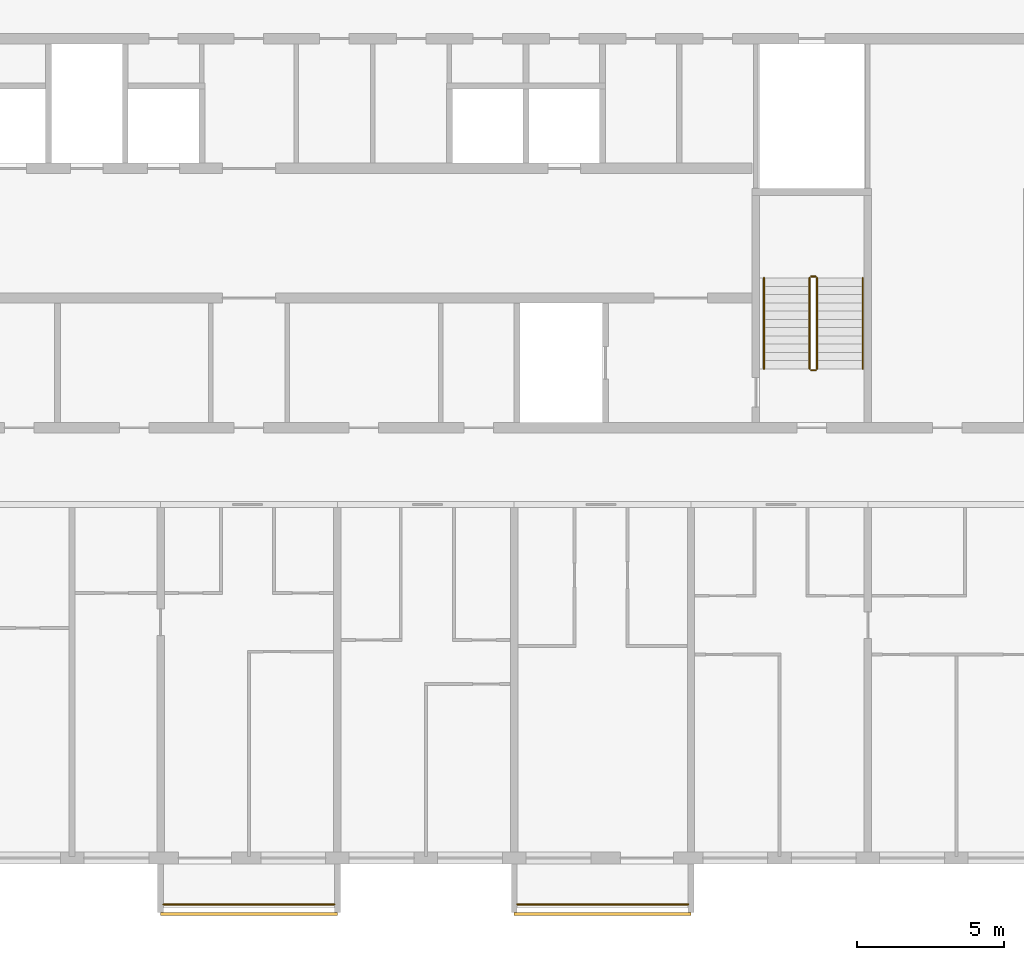
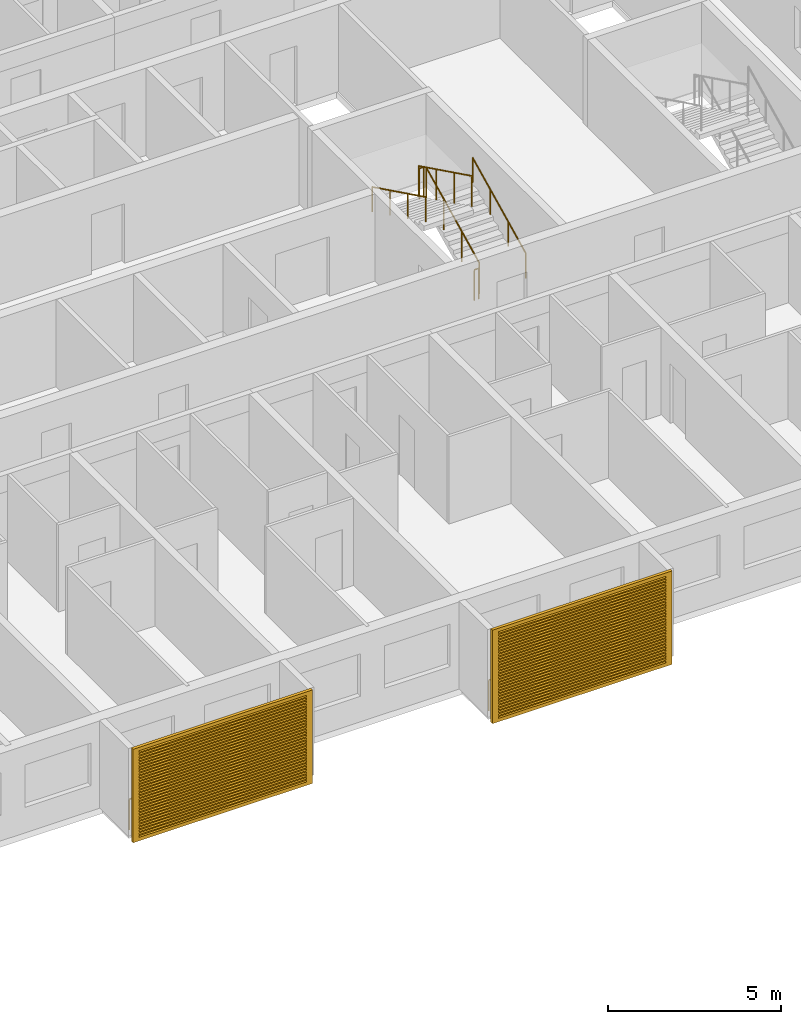
# One storey, part 14 of 29: 8 railings, 2 shading devices.
"""IFC4 building model written with IfcOpenShell, lengths in metres."""

from ifc_helpers import new_model, si_unit, direction, frame, origin, origin_2d, place, context, subcontext, project, spatial, polyline, circle, outline, extrude, source, transform, mapped, material, material_profile, profile_set, type_object, element, save


model = new_model("IFC4")

# Units and contexts
model_context = context("Model", 3, precision=1e-05, world=origin(), true_north=direction((0.0, 1.0)))
body_context = subcontext(model_context, "Body", "Model", "MODEL_VIEW")
ifc_project = project(units=[si_unit("LENGTHUNIT", "METRE"), si_unit("AREAUNIT", "SQUARE_METRE"), si_unit("VOLUMEUNIT", "CUBIC_METRE"), si_unit("PLANEANGLEUNIT", "RADIAN"), si_unit("MASSUNIT", "GRAM", prefix="KILO")], contexts=[model_context])

# Site, building, storey
site_placement = place(None, origin())
site = spatial("IfcSite", under=ifc_project, at=site_placement, CompositionType="ELEMENT")
building_placement = place(site_placement, origin())
building = spatial("IfcBuilding", under=site, at=building_placement, Name="Poui Terraces", CompositionType="ELEMENT")
storey_placement = place(building_placement, frame((0.0, 0.0, 231.300048828125)))
storey = spatial("IfcBuildingStorey", under=building, at=storey_placement, Name="L64", CompositionType="ELEMENT", Elevation=231.300048828125)

# Railings
ifc_material_1 = material(Name="Painted steel fretwork", Category="steel")
railing_type_1 = type_object("IfcRailingType", Name="BALCONY GUARD 1100", PredefinedType="GUARDRAIL", material=ifc_material_1)
for number, where, name in (
    (1, (48.10009765625, -1.570068359375, 0.0), "BALCONY GUARD"),
    (2, (60.10009765625, -1.570068359375, 0.0), "BALCONY GUARD"),
):
    element("IfcRailing", number, at=place(storey_placement, frame(where)), inside=storey, type_object=railing_type_1, Name=name, PredefinedType="GUARDRAIL", context=body_context, shape_type="SweptSolid", body=[
        extrude(circle(Radius=0.02392578125, at=origin_2d()), frame((0.0, 0.0, 1.076171875), z_axis=(1.0, 0.0, 0.0), x_axis=(0.0, 1.0, 0.0)), (0.0, 0.0, 1.0), 5.7998046875),
        extrude(circle(Radius=0.02099609375, at=origin_2d()), origin(), (0.0, 0.0, 1.0), 1.052001953125),
        extrude(circle(Radius=0.02099609375, at=origin_2d()), frame((0.966552734375, 0.0, 0.0)), (0.0, 0.0, 1.0), 1.052001953125),
        extrude(circle(Radius=0.02099609375, at=origin_2d()), frame((1.933349609375, 0.0, 0.0)), (0.0, 0.0, 1.0), 1.052001953125),
        extrude(circle(Radius=0.02099609375, at=origin_2d()), frame((2.89990234375, 0.0, 0.0)), (0.0, 0.0, 1.0), 1.052001953125),
        extrude(circle(Radius=0.02099609375, at=origin_2d()), frame((3.866455078125, 0.0, 0.0)), (0.0, 0.0, 1.0), 1.052001953125),
        extrude(circle(Radius=0.02099609375, at=origin_2d()), frame((4.833251953125, 0.0, 0.0)), (0.0, 0.0, 1.0), 1.052001953125),
        extrude(circle(Radius=0.02099609375, at=origin_2d()), frame((5.7998046875, 0.0, 0.0)), (0.0, 0.0, 1.0), 1.052001953125),
    ])
ifc_material_2 = material(Name="Galvanised steel balustrade", Category="steel")
railing_type_2 = type_object("IfcRailingType", Name="STAIR GUARD 1100", PredefinedType="GUARDRAIL", material=ifc_material_2)
railing_1_placement = place(storey_placement, frame((70.27490234375, 16.60009765625, 0.137451171875)))
element("IfcRailing", 3, at=railing_1_placement, inside=storey, type_object=railing_type_2, Name="L64 ST-CE stair guard 1", PredefinedType="GUARDRAIL", context=body_context, shape_type="SweptSolid", body=[
    extrude(circle(Radius=0.02392578125, at=origin_2d()), frame((0.0, 0.0, 1.076171875), z_axis=(0.0, 0.897606190399, 0.440798283751), x_axis=(-1.0, 0.0, 0.0)), (0.0, 0.0, 1.0), 3.43115234375),
    extrude(circle(Radius=0.02099609375, at=origin_2d()), origin(), (0.0, 0.0, 1.0), 1.052001953125),
    extrude(circle(Radius=0.02099609375, at=origin_2d()), frame((0.0, 1.026611328125, 0.504150390625)), (0.0, 0.0, 1.0), 1.052001953125),
    extrude(circle(Radius=0.02099609375, at=origin_2d()), frame((0.0, 2.05322265625, 1.00830078125)), (0.0, 0.0, 1.0), 1.052001953125),
    extrude(circle(Radius=0.02099609375, at=origin_2d()), frame((0.0, 3.079833984375, 1.512451171875)), (0.0, 0.0, 1.0), 1.052001953125),
])
railing_2_placement = place(storey_placement, frame((70.22509765625, 19.72998046875, 1.64990234375)))
element("IfcRailing", 4, at=railing_2_placement, inside=storey, type_object=railing_type_2, Name="L64 ST-CE stair guard 2", PredefinedType="GUARDRAIL", context=body_context, shape_type="SweptSolid", body=[
    extrude(circle(Radius=0.02392578125, at=origin_2d()), frame((0.0, 0.0, 1.076171875), z_axis=(-1.0, 0.0, 0.0), x_axis=(0.0, -1.0, 0.0)), (0.0, 0.0, 1.0), 0.150146484375),
    extrude(circle(Radius=0.02099609375, at=origin_2d()), origin(), (0.0, 0.0, 1.0), 1.052001953125),
    extrude(circle(Radius=0.02099609375, at=origin_2d()), frame((-0.150146484375, 0.0, 0.0)), (0.0, 0.0, 1.0), 1.052001953125),
])
railing_3_placement = place(storey_placement, frame((70.02490234375, 19.679931640625, 1.787353515625)))
element("IfcRailing", 5, at=railing_3_placement, inside=storey, type_object=railing_type_2, Name="L64 ST-CE stair guard 3", PredefinedType="GUARDRAIL", context=body_context, shape_type="SweptSolid", body=[
    extrude(circle(Radius=0.02392578125, at=origin_2d()), frame((0.0, 0.0, 1.076171875), z_axis=(0.0, -0.897578036475, 0.440855609512), x_axis=(1.0, 0.0, 0.0)), (0.0, 0.0, 1.0), 3.43115234375),
    extrude(circle(Radius=0.02099609375, at=origin_2d()), origin(), (0.0, 0.0, 1.0), 1.052001953125),
    extrude(circle(Radius=0.02099609375, at=origin_2d()), frame((0.0, -1.026611328125, 0.504150390625)), (0.0, 0.0, 1.0), 1.052001953125),
    extrude(circle(Radius=0.02099609375, at=origin_2d()), frame((0.0, -2.05322265625, 1.008544921875)), (0.0, 0.0, 1.0), 1.052001953125),
    extrude(circle(Radius=0.02099609375, at=origin_2d()), frame((0.0, -3.079833984375, 1.5126953125)), (0.0, 0.0, 1.0), 1.052001953125),
])
railing_4_placement = place(storey_placement, frame((70.22509765625, 16.550048828125, 0.0)))
element("IfcRailing", 6, at=railing_4_placement, inside=storey, type_object=railing_type_2, Name="L64 ST-CE stair guard 4", PredefinedType="GUARDRAIL", context=body_context, shape_type="SweptSolid", body=[
    extrude(circle(Radius=0.02392578125, at=origin_2d()), frame((0.0, 0.0, 1.076171875), z_axis=(-1.0, 0.0, 0.0), x_axis=(0.0, -1.0, 0.0)), (0.0, 0.0, 1.0), 0.150146484375),
    extrude(circle(Radius=0.02099609375, at=origin_2d()), origin(), (0.0, 0.0, 1.0), 1.052001953125),
    extrude(circle(Radius=0.02099609375, at=origin_2d()), frame((-0.150146484375, 0.0, 0.0)), (0.0, 0.0, 1.0), 1.052001953125),
])
ifc_material_3 = material(Name="Stainless steel handrail", Category="steel")
railing_type_3 = type_object("IfcRailingType", Name="STAIR HANDRAIL 900", PredefinedType="HANDRAIL", material=ifc_material_3)
railing_5_placement = place(storey_placement, frame((71.824951171875, 16.60009765625, 0.137451171875)))
element("IfcRailing", 7, at=railing_5_placement, inside=storey, type_object=railing_type_3, Name="L64 ST-CE stair handrail 1", PredefinedType="HANDRAIL", context=body_context, shape_type="SweptSolid", body=[
    extrude(circle(Radius=0.02392578125, at=origin_2d()), frame((0.0, 0.0, 0.8759765625), z_axis=(0.0, 0.897606190399, 0.440798283751), x_axis=(-1.0, 0.0, 0.0)), (0.0, 0.0, 1.0), 3.43115234375),
    extrude(circle(Radius=0.02099609375, at=origin_2d()), origin(), (0.0, 0.0, 1.0), 0.851806640625),
    extrude(circle(Radius=0.02099609375, at=origin_2d()), frame((0.0, 1.026611328125, 0.504150390625)), (0.0, 0.0, 1.0), 0.851806640625),
    extrude(circle(Radius=0.02099609375, at=origin_2d()), frame((0.0, 2.05322265625, 1.00830078125)), (0.0, 0.0, 1.0), 0.851806640625),
    extrude(circle(Radius=0.02099609375, at=origin_2d()), frame((0.0, 3.079833984375, 1.512451171875)), (0.0, 0.0, 1.0), 0.851806640625),
])
railing_6_placement = place(storey_placement, frame((68.47509765625, 19.679931640625, 1.787353515625)))
element("IfcRailing", 8, at=railing_6_placement, inside=storey, type_object=railing_type_3, Name="L64 ST-CE stair handrail 2", PredefinedType="HANDRAIL", context=body_context, shape_type="SweptSolid", body=[
    extrude(circle(Radius=0.02392578125, at=origin_2d()), frame((0.0, 0.0, 0.8759765625), z_axis=(0.0, -0.897578036475, 0.440855609512), x_axis=(1.0, 0.0, 0.0)), (0.0, 0.0, 1.0), 3.43115234375),
    extrude(circle(Radius=0.02099609375, at=origin_2d()), origin(), (0.0, 0.0, 1.0), 0.851806640625),
    extrude(circle(Radius=0.02099609375, at=origin_2d()), frame((0.0, -1.026611328125, 0.504150390625)), (0.0, 0.0, 1.0), 0.851806640625),
    extrude(circle(Radius=0.02099609375, at=origin_2d()), frame((0.0, -2.05322265625, 1.008544921875)), (0.0, 0.0, 1.0), 0.851806640625),
    extrude(circle(Radius=0.02099609375, at=origin_2d()), frame((0.0, -3.079833984375, 1.5126953125)), (0.0, 0.0, 1.0), 0.851806640625),
])

# Shading devices
ifc_material_4 = material(Name="Aluminium louvre", Category="aluminium")
ifc_material_profile = material_profile(ifc_material_4, outline(polyline([(-3.0, -1.64990234375), (3.0, -1.64990234375), (3.0, 1.64990234375), (-3.0, 1.64990234375), (-3.0, -1.64990234375)]), holes=[polyline([(-2.800048828125, -1.530029296875), (2.800048828125, -1.530029296875), (2.800048828125, -1.469970703125), (-2.800048828125, -1.469970703125), (-2.800048828125, -1.530029296875)]), polyline([(-2.800048828125, -1.429931640625), (2.800048828125, -1.429931640625), (2.800048828125, -1.3701171875), (-2.800048828125, -1.3701171875), (-2.800048828125, -1.429931640625)]), polyline([(-2.800048828125, -1.330078125), (2.800048828125, -1.330078125), (2.800048828125, -1.27001953125), (-2.800048828125, -1.27001953125), (-2.800048828125, -1.330078125)]), polyline([(-2.800048828125, -1.22998046875), (2.800048828125, -1.22998046875), (2.800048828125, -1.169921875), (-2.800048828125, -1.169921875), (-2.800048828125, -1.22998046875)]), polyline([(-2.800048828125, -1.1298828125), (2.800048828125, -1.1298828125), (2.800048828125, -1.070068359375), (-2.800048828125, -1.070068359375), (-2.800048828125, -1.1298828125)]), polyline([(-2.800048828125, -1.030029296875), (2.800048828125, -1.030029296875), (2.800048828125, -0.969970703125), (-2.800048828125, -0.969970703125), (-2.800048828125, -1.030029296875)]), polyline([(-2.800048828125, -0.929931640625), (2.800048828125, -0.929931640625), (2.800048828125, -0.8701171875), (-2.800048828125, -0.8701171875), (-2.800048828125, -0.929931640625)]), polyline([(-2.800048828125, -0.830078125), (2.800048828125, -0.830078125), (2.800048828125, -0.77001953125), (-2.800048828125, -0.77001953125), (-2.800048828125, -0.830078125)]), polyline([(-2.800048828125, -0.72998046875), (2.800048828125, -0.72998046875), (2.800048828125, -0.669921875), (-2.800048828125, -0.669921875), (-2.800048828125, -0.72998046875)]), polyline([(-2.800048828125, -0.6298828125), (2.800048828125, -0.6298828125), (2.800048828125, -0.570068359375), (-2.800048828125, -0.570068359375), (-2.800048828125, -0.6298828125)]), polyline([(-2.800048828125, -0.530029296875), (2.800048828125, -0.530029296875), (2.800048828125, -0.469970703125), (-2.800048828125, -0.469970703125), (-2.800048828125, -0.530029296875)]), polyline([(-2.800048828125, -0.429931640625), (2.800048828125, -0.429931640625), (2.800048828125, -0.3701171875), (-2.800048828125, -0.3701171875), (-2.800048828125, -0.429931640625)]), polyline([(-2.800048828125, -0.330078125), (2.800048828125, -0.330078125), (2.800048828125, -0.27001953125), (-2.800048828125, -0.27001953125), (-2.800048828125, -0.330078125)]), polyline([(-2.800048828125, -0.22998046875), (2.800048828125, -0.22998046875), (2.800048828125, -0.169921875), (-2.800048828125, -0.169921875), (-2.800048828125, -0.22998046875)]), polyline([(-2.800048828125, -0.1298828125), (2.800048828125, -0.1298828125), (2.800048828125, -0.070068359375), (-2.800048828125, -0.070068359375), (-2.800048828125, -0.1298828125)]), polyline([(-2.800048828125, -0.030029296875), (2.800048828125, -0.030029296875), (2.800048828125, 0.030029296875), (-2.800048828125, 0.030029296875), (-2.800048828125, -0.030029296875)]), polyline([(-2.800048828125, 0.070068359375), (2.800048828125, 0.070068359375), (2.800048828125, 0.1298828125), (-2.800048828125, 0.1298828125), (-2.800048828125, 0.070068359375)]), polyline([(-2.800048828125, 0.169921875), (2.800048828125, 0.169921875), (2.800048828125, 0.22998046875), (-2.800048828125, 0.22998046875), (-2.800048828125, 0.169921875)]), polyline([(-2.800048828125, 0.27001953125), (2.800048828125, 0.27001953125), (2.800048828125, 0.330078125), (-2.800048828125, 0.330078125), (-2.800048828125, 0.27001953125)]), polyline([(-2.800048828125, 0.3701171875), (2.800048828125, 0.3701171875), (2.800048828125, 0.429931640625), (-2.800048828125, 0.429931640625), (-2.800048828125, 0.3701171875)]), polyline([(-2.800048828125, 0.469970703125), (2.800048828125, 0.469970703125), (2.800048828125, 0.530029296875), (-2.800048828125, 0.530029296875), (-2.800048828125, 0.469970703125)]), polyline([(-2.800048828125, 0.570068359375), (2.800048828125, 0.570068359375), (2.800048828125, 0.6298828125), (-2.800048828125, 0.6298828125), (-2.800048828125, 0.570068359375)]), polyline([(-2.800048828125, 0.669921875), (2.800048828125, 0.669921875), (2.800048828125, 0.72998046875), (-2.800048828125, 0.72998046875), (-2.800048828125, 0.669921875)]), polyline([(-2.800048828125, 0.77001953125), (2.800048828125, 0.77001953125), (2.800048828125, 0.830078125), (-2.800048828125, 0.830078125), (-2.800048828125, 0.77001953125)]), polyline([(-2.800048828125, 0.8701171875), (2.800048828125, 0.8701171875), (2.800048828125, 0.929931640625), (-2.800048828125, 0.929931640625), (-2.800048828125, 0.8701171875)]), polyline([(-2.800048828125, 0.969970703125), (2.800048828125, 0.969970703125), (2.800048828125, 1.030029296875), (-2.800048828125, 1.030029296875), (-2.800048828125, 0.969970703125)]), polyline([(-2.800048828125, 1.070068359375), (2.800048828125, 1.070068359375), (2.800048828125, 1.1298828125), (-2.800048828125, 1.1298828125), (-2.800048828125, 1.070068359375)]), polyline([(-2.800048828125, 1.169921875), (2.800048828125, 1.169921875), (2.800048828125, 1.22998046875), (-2.800048828125, 1.22998046875), (-2.800048828125, 1.169921875)]), polyline([(-2.800048828125, 1.27001953125), (2.800048828125, 1.27001953125), (2.800048828125, 1.330078125), (-2.800048828125, 1.330078125), (-2.800048828125, 1.27001953125)]), polyline([(-2.800048828125, 1.3701171875), (2.800048828125, 1.3701171875), (2.800048828125, 1.429931640625), (-2.800048828125, 1.429931640625), (-2.800048828125, 1.3701171875)]), polyline([(-2.800048828125, 1.469970703125), (2.800048828125, 1.469970703125), (2.800048828125, 1.530029296875), (-2.800048828125, 1.530029296875), (-2.800048828125, 1.469970703125)])]), Name="JALOUSIE LOUVRE SHUTTER 6000X3300")
ifc_profile_set = profile_set([ifc_material_profile], Name="Aluminium louvre")
shading_device_type = type_object("IfcShadingDeviceType", Name="JALOUSIE LOUVRE SHUTTER 6000X3300", PredefinedType="JALOUSIE", material=ifc_profile_set)
shared_shape = source(origin(), body_context, "Body", "SweptSolid", [
    extrude(outline(polyline([(-3.0, -1.64990234375), (3.0, -1.64990234375), (3.0, 1.64990234375), (-3.0, 1.64990234375), (-3.0, -1.64990234375)]), holes=[polyline([(-2.800048828125, -1.530029296875), (2.800048828125, -1.530029296875), (2.800048828125, -1.469970703125), (-2.800048828125, -1.469970703125), (-2.800048828125, -1.530029296875)]), polyline([(-2.800048828125, -1.429931640625), (2.800048828125, -1.429931640625), (2.800048828125, -1.3701171875), (-2.800048828125, -1.3701171875), (-2.800048828125, -1.429931640625)]), polyline([(-2.800048828125, -1.330078125), (2.800048828125, -1.330078125), (2.800048828125, -1.27001953125), (-2.800048828125, -1.27001953125), (-2.800048828125, -1.330078125)]), polyline([(-2.800048828125, -1.22998046875), (2.800048828125, -1.22998046875), (2.800048828125, -1.169921875), (-2.800048828125, -1.169921875), (-2.800048828125, -1.22998046875)]), polyline([(-2.800048828125, -1.1298828125), (2.800048828125, -1.1298828125), (2.800048828125, -1.070068359375), (-2.800048828125, -1.070068359375), (-2.800048828125, -1.1298828125)]), polyline([(-2.800048828125, -1.030029296875), (2.800048828125, -1.030029296875), (2.800048828125, -0.969970703125), (-2.800048828125, -0.969970703125), (-2.800048828125, -1.030029296875)]), polyline([(-2.800048828125, -0.929931640625), (2.800048828125, -0.929931640625), (2.800048828125, -0.8701171875), (-2.800048828125, -0.8701171875), (-2.800048828125, -0.929931640625)]), polyline([(-2.800048828125, -0.830078125), (2.800048828125, -0.830078125), (2.800048828125, -0.77001953125), (-2.800048828125, -0.77001953125), (-2.800048828125, -0.830078125)]), polyline([(-2.800048828125, -0.72998046875), (2.800048828125, -0.72998046875), (2.800048828125, -0.669921875), (-2.800048828125, -0.669921875), (-2.800048828125, -0.72998046875)]), polyline([(-2.800048828125, -0.6298828125), (2.800048828125, -0.6298828125), (2.800048828125, -0.570068359375), (-2.800048828125, -0.570068359375), (-2.800048828125, -0.6298828125)]), polyline([(-2.800048828125, -0.530029296875), (2.800048828125, -0.530029296875), (2.800048828125, -0.469970703125), (-2.800048828125, -0.469970703125), (-2.800048828125, -0.530029296875)]), polyline([(-2.800048828125, -0.429931640625), (2.800048828125, -0.429931640625), (2.800048828125, -0.3701171875), (-2.800048828125, -0.3701171875), (-2.800048828125, -0.429931640625)]), polyline([(-2.800048828125, -0.330078125), (2.800048828125, -0.330078125), (2.800048828125, -0.27001953125), (-2.800048828125, -0.27001953125), (-2.800048828125, -0.330078125)]), polyline([(-2.800048828125, -0.22998046875), (2.800048828125, -0.22998046875), (2.800048828125, -0.169921875), (-2.800048828125, -0.169921875), (-2.800048828125, -0.22998046875)]), polyline([(-2.800048828125, -0.1298828125), (2.800048828125, -0.1298828125), (2.800048828125, -0.070068359375), (-2.800048828125, -0.070068359375), (-2.800048828125, -0.1298828125)]), polyline([(-2.800048828125, -0.030029296875), (2.800048828125, -0.030029296875), (2.800048828125, 0.030029296875), (-2.800048828125, 0.030029296875), (-2.800048828125, -0.030029296875)]), polyline([(-2.800048828125, 0.070068359375), (2.800048828125, 0.070068359375), (2.800048828125, 0.1298828125), (-2.800048828125, 0.1298828125), (-2.800048828125, 0.070068359375)]), polyline([(-2.800048828125, 0.169921875), (2.800048828125, 0.169921875), (2.800048828125, 0.22998046875), (-2.800048828125, 0.22998046875), (-2.800048828125, 0.169921875)]), polyline([(-2.800048828125, 0.27001953125), (2.800048828125, 0.27001953125), (2.800048828125, 0.330078125), (-2.800048828125, 0.330078125), (-2.800048828125, 0.27001953125)]), polyline([(-2.800048828125, 0.3701171875), (2.800048828125, 0.3701171875), (2.800048828125, 0.429931640625), (-2.800048828125, 0.429931640625), (-2.800048828125, 0.3701171875)]), polyline([(-2.800048828125, 0.469970703125), (2.800048828125, 0.469970703125), (2.800048828125, 0.530029296875), (-2.800048828125, 0.530029296875), (-2.800048828125, 0.469970703125)]), polyline([(-2.800048828125, 0.570068359375), (2.800048828125, 0.570068359375), (2.800048828125, 0.6298828125), (-2.800048828125, 0.6298828125), (-2.800048828125, 0.570068359375)]), polyline([(-2.800048828125, 0.669921875), (2.800048828125, 0.669921875), (2.800048828125, 0.72998046875), (-2.800048828125, 0.72998046875), (-2.800048828125, 0.669921875)]), polyline([(-2.800048828125, 0.77001953125), (2.800048828125, 0.77001953125), (2.800048828125, 0.830078125), (-2.800048828125, 0.830078125), (-2.800048828125, 0.77001953125)]), polyline([(-2.800048828125, 0.8701171875), (2.800048828125, 0.8701171875), (2.800048828125, 0.929931640625), (-2.800048828125, 0.929931640625), (-2.800048828125, 0.8701171875)]), polyline([(-2.800048828125, 0.969970703125), (2.800048828125, 0.969970703125), (2.800048828125, 1.030029296875), (-2.800048828125, 1.030029296875), (-2.800048828125, 0.969970703125)]), polyline([(-2.800048828125, 1.070068359375), (2.800048828125, 1.070068359375), (2.800048828125, 1.1298828125), (-2.800048828125, 1.1298828125), (-2.800048828125, 1.070068359375)]), polyline([(-2.800048828125, 1.169921875), (2.800048828125, 1.169921875), (2.800048828125, 1.22998046875), (-2.800048828125, 1.22998046875), (-2.800048828125, 1.169921875)]), polyline([(-2.800048828125, 1.27001953125), (2.800048828125, 1.27001953125), (2.800048828125, 1.330078125), (-2.800048828125, 1.330078125), (-2.800048828125, 1.27001953125)]), polyline([(-2.800048828125, 1.3701171875), (2.800048828125, 1.3701171875), (2.800048828125, 1.429931640625), (-2.800048828125, 1.429931640625), (-2.800048828125, 1.3701171875)]), polyline([(-2.800048828125, 1.469970703125), (2.800048828125, 1.469970703125), (2.800048828125, 1.530029296875), (-2.800048828125, 1.530029296875), (-2.800048828125, 1.469970703125)])]), origin(), (0.0, 0.0, 1.0), 0.099853515625),
])
for number, where, z_axis, x_axis, name in (
    (9, (51.0, -1.85009765625, 1.449951171875), (0.0, -1.0, 0.0), (1.0, 0.0, 0.0), "JALOUSIE LOUVRE SHUTTER"),
    (10, (63.0, -1.85009765625, 1.449951171875), (0.0, -1.0, 0.0), (1.0, 0.0, 0.0), "JALOUSIE LOUVRE SHUTTER"),
):
    element("IfcShadingDevice", number, at=place(storey_placement, frame(where, z_axis=z_axis, x_axis=x_axis)), inside=storey, type_object=shading_device_type, Name=name, PredefinedType="JALOUSIE", context=body_context, shape_type="MappedRepresentation", body=[
        mapped(shared_shape, transform((0.0, 0.0, 0.0))),
    ])

save(model, "model.ifc")
